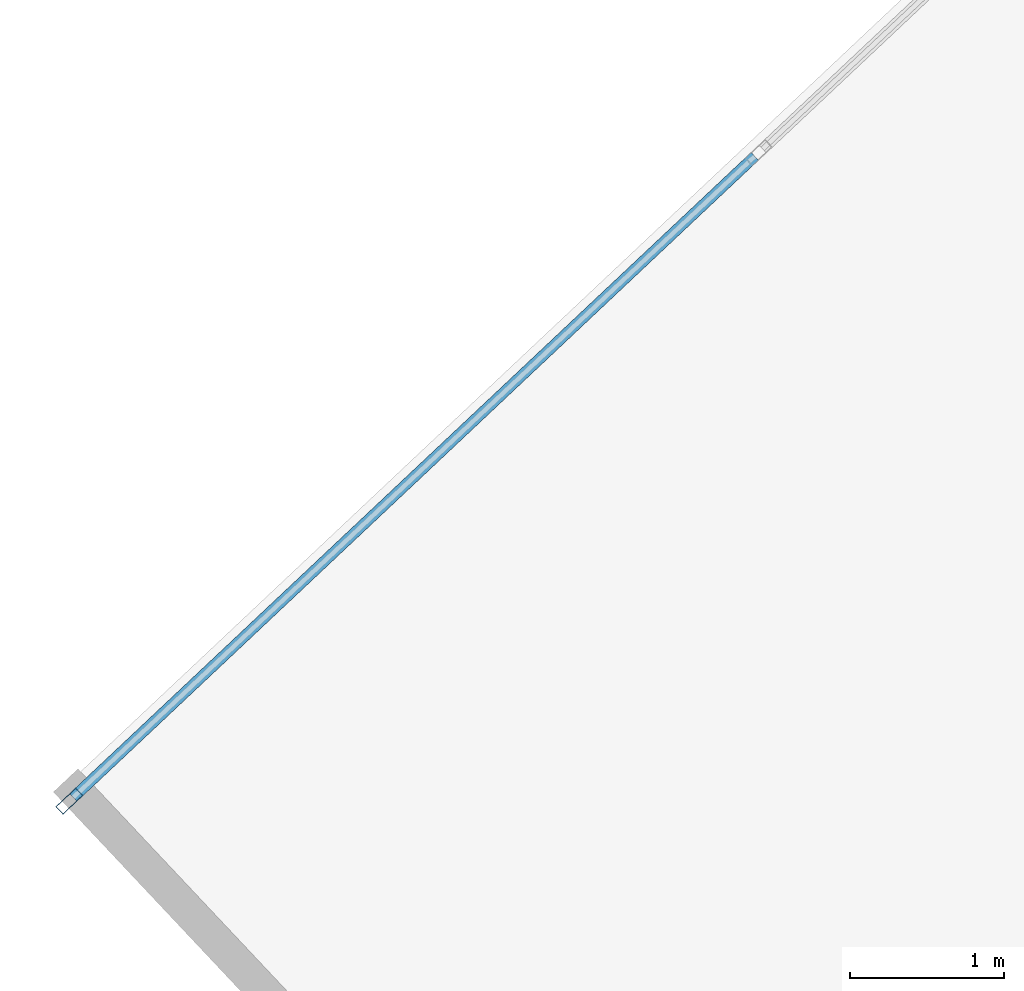
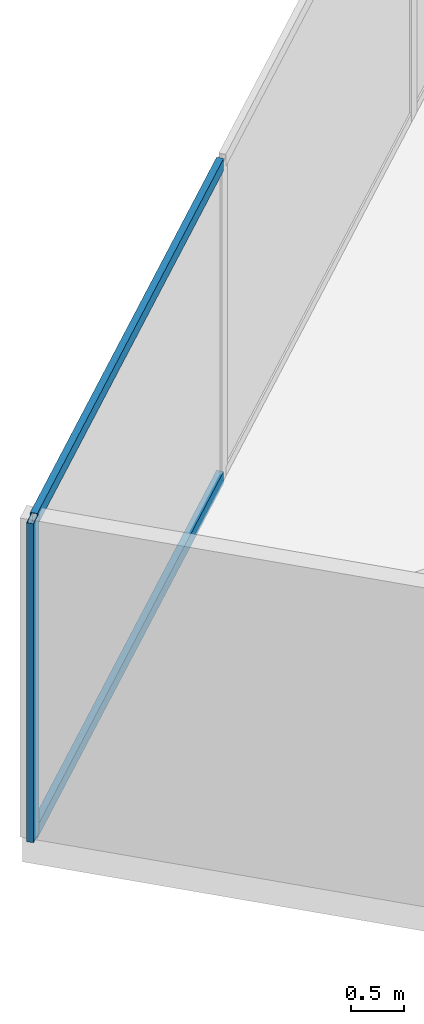
# One storey, part 7 of 24: 3 members, 1 element without a shape of its own.
"""IFC4 building model written with IfcOpenShell, lengths in metres."""

from ifc_helpers import new_model, si_unit, direction, frame, origin, origin_2d, place, context, subcontext, project, spatial, hollow_rectangle, extrude, source, transform, mapped, material, material_profile, profile_set, type_object, type_shapes, element, aggregate, save


model = new_model("IFC4")

# Units and contexts
model_context = context("Model", 3, precision=1e-05, world=origin(), true_north=direction((0.0, 1.0)))
body_context = subcontext(model_context, "Body", "Model", "MODEL_VIEW")
ifc_project = project(units=[si_unit("LENGTHUNIT", "METRE"), si_unit("AREAUNIT", "SQUARE_METRE"), si_unit("VOLUMEUNIT", "CUBIC_METRE"), si_unit("PLANEANGLEUNIT", "RADIAN"), si_unit("MASSUNIT", "GRAM", prefix="KILO")], contexts=[model_context])

# Site, building, storey
site_placement = place(None, origin())
site = spatial("IfcSite", under=ifc_project, at=site_placement, CompositionType="ELEMENT")
building_placement = place(site_placement, origin())
building = spatial("IfcBuilding", under=site, at=building_placement, Name="Krantzveldt Concourse Tower", CompositionType="ELEMENT")
storey_placement = place(building_placement, frame((0.0, 0.0, 246.800048828125)))
storey = spatial("IfcBuildingStorey", under=building, at=storey_placement, Name="L60", CompositionType="ELEMENT", Elevation=246.800048828125)

# Curtain wall, members
ifc_material = material(Name="Anodised aluminium 6063-T6", Category="aluminium")
curtain_wall_type = type_object("IfcCurtainWallType", Name="CW3", PredefinedType="USERDEFINED", material=ifc_material)
curtain_wall_placement = place(storey_placement, origin())
curtain_wall = element("IfcCurtainWall", 1, at=curtain_wall_placement, inside=storey, type_object=curtain_wall_type, Name="CW-L60-F01", ObjectType="UNITISED CURTAIN WALL", PredefinedType="USERDEFINED")
ifc_material_profile_1 = material_profile(ifc_material, hollow_rectangle(XDim=0.070068359375, YDim=0.179931640625, WallThickness=0.0048828125, at=origin_2d()), Name="Anodised aluminium 6063-T6", Category="aluminium")
ifc_profile_set_1 = profile_set([ifc_material_profile_1], Name="Anodised aluminium 6063-T6 - ALU-MULL 180x70x5")
member_type_1 = type_object("IfcMemberType", Name="CW-MUL-180", PredefinedType="MULLION", material=ifc_profile_set_1)
shared_shape_1 = source(origin(), body_context, "Body", "SweptSolid", [
    extrude(hollow_rectangle(XDim=0.070068359375, YDim=0.179931640625, WallThickness=0.0048828125, at=origin_2d()), origin(), (0.0, 0.0, 1.0), 3.669921875),
])
type_shapes(member_type_1, [shared_shape_1])
member_1_placement = place(storey_placement, frame((10.751220703125, 30.9697265625, 0.0), z_axis=(0.0, 0.0, 1.0), x_axis=(0.685182945184, -0.728371012348, 0.0)))
member_1 = element("IfcMember", 2, at=member_1_placement, type_object=member_type_1, Name="CW-Z34 mullion 6", PredefinedType="MULLION", context=body_context, shape_type="MappedRepresentation", body=[
    mapped(shared_shape_1, transform((0.0, 0.0, 0.0), x_axis=(1.0, 0.0, 0.0), y_axis=(0.0, 1.0, 0.0), z_axis=(0.0, 0.0, 1.0), scale=1.0)),
])
ifc_material_profile_2 = material_profile(ifc_material, hollow_rectangle(XDim=0.070068359375, YDim=0.139892578125, WallThickness=0.0048828125, at=origin_2d()), Name="Anodised aluminium 6063-T6", Category="aluminium")
ifc_profile_set_2 = profile_set([ifc_material_profile_2], Name="Anodised aluminium 6063-T6 - ALU-TRAN 140x70x5")
member_type_2 = type_object("IfcMemberType", Name="CW-TRN-150", PredefinedType="USERDEFINED", material=ifc_profile_set_2)
shared_shape_2 = source(origin(), body_context, "Body", "SweptSolid", [
    extrude(hollow_rectangle(XDim=0.070068359375, YDim=0.139892578125, WallThickness=0.0048828125, at=origin_2d()), origin(), (0.0, 0.0, 1.0), 6.094970703125),
])
type_shapes(member_type_2, [shared_shape_2])
member_2_placement = place(storey_placement, frame((15.216064453125, 35.169921875, 0.034912109375), z_axis=(-0.728366954224, -0.685187259072, 0.0), x_axis=(0.685187259072, -0.728366954224, 0.0)))
member_2 = element("IfcMember", 3, at=member_2_placement, type_object=member_type_2, Name="CW-Z34 transom 5.1", ObjectType="TRANSOM", PredefinedType="USERDEFINED", context=body_context, shape_type="MappedRepresentation", body=[
    mapped(shared_shape_2, transform((0.0, 0.0, 0.0), x_axis=(1.0, 0.0, 0.0), y_axis=(0.0, 1.0, 0.0), z_axis=(0.0, 0.0, 1.0), scale=1.0)),
])
member_3_placement = place(storey_placement, frame((15.216064453125, 35.169921875, 3.635009765625), z_axis=(-0.728366954224, -0.685187259072, 0.0), x_axis=(0.685187259072, -0.728366954224, 0.0)))
member_3 = element("IfcMember", 4, at=member_3_placement, type_object=member_type_2, Name="CW-Z34 transom 5.2", ObjectType="TRANSOM", PredefinedType="USERDEFINED", context=body_context, shape_type="MappedRepresentation", body=[
    mapped(shared_shape_2, transform((0.0, 0.0, 0.0), x_axis=(1.0, 0.0, 0.0), y_axis=(0.0, 1.0, 0.0), z_axis=(0.0, 0.0, 1.0), scale=1.0)),
])
aggregate(curtain_wall, [member_1, member_2, member_3])

save(model, "model.ifc")
